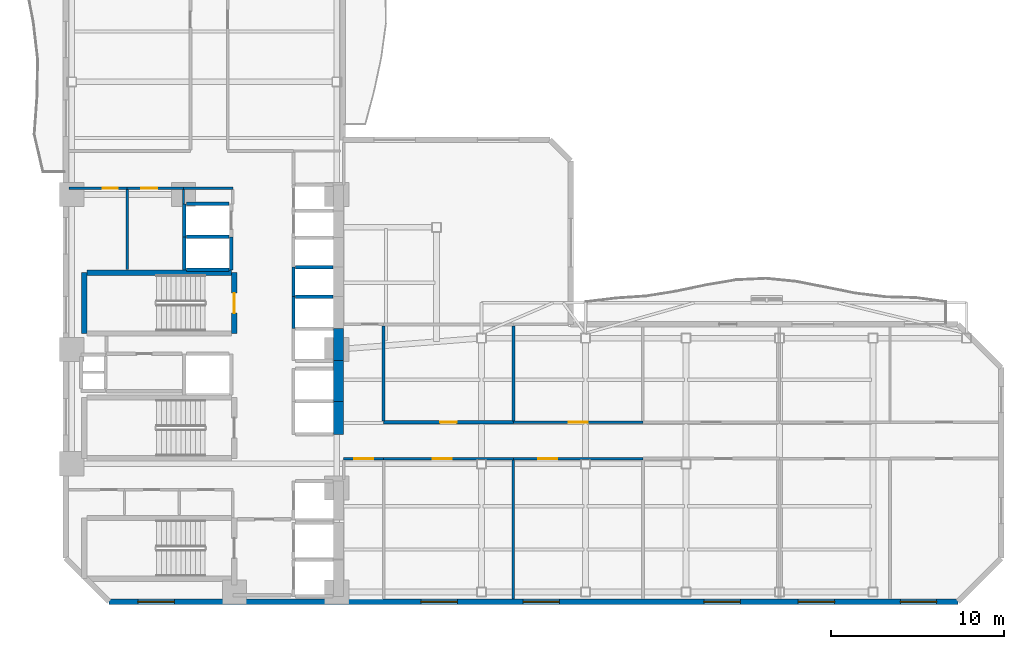
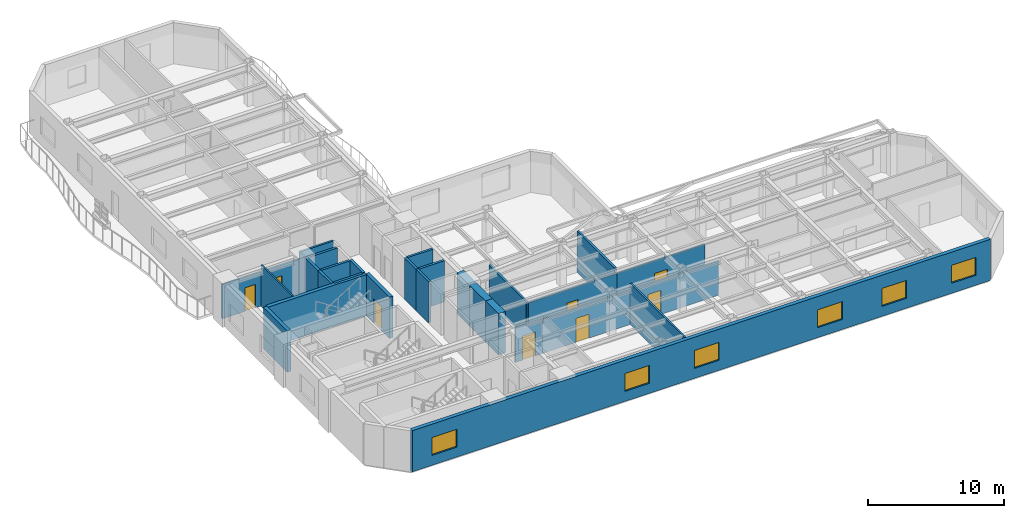
# One storey, part 4 of 10: 30 walls, 8 doors, 6 windows, 14 openings.
"""IFC4 building model written with IfcOpenShell, lengths in metres."""

from ifc_helpers import new_model, si_unit, direction, frame, frame_2d, origin, place, context, subcontext, project, spatial, rectangle, extrude, material, layer, layer_set, type_object, element, fill, save


model = new_model("IFC4")

# Units and contexts
model_context = context("Model", 3, precision=1e-05, world=origin(), true_north=direction((0.0, 1.0)))
body_context = subcontext(model_context, "Body", "Model", "MODEL_VIEW")
ifc_project = project(units=[si_unit("LENGTHUNIT", "METRE"), si_unit("AREAUNIT", "SQUARE_METRE"), si_unit("VOLUMEUNIT", "CUBIC_METRE"), si_unit("PLANEANGLEUNIT", "RADIAN"), si_unit("MASSUNIT", "GRAM", prefix="KILO")], contexts=[model_context])

# Site, building, storey
site_placement = place(None, origin())
site = spatial("IfcSite", under=ifc_project, at=site_placement, CompositionType="ELEMENT")
building_placement = place(site_placement, origin())
building = spatial("IfcBuilding", under=site, at=building_placement, Name="Mawjaban Terraces University", CompositionType="ELEMENT")
storey_placement = place(building_placement, frame((0.0, 0.0, 66.10009765625)))
storey = spatial("IfcBuildingStorey", under=building, at=storey_placement, Name="L15", CompositionType="ELEMENT", Elevation=66.10009765625)

# Wall, opening, door
ifc_material_1 = material(Name="Acoustic masonry blockwork", Category="masonry")
ifc_layer_1 = layer(ifc_material_1, 0.179931640625)
ifc_layer_set_1 = layer_set([ifc_layer_1], Name="Acoustic masonry blockwork")
wall_type_1 = type_object("IfcWallType", Name="AcousticStudioWall_180", PredefinedType="PARTITIONING", material=ifc_layer_set_1)
wall_1_placement = place(storey_placement, frame((47.840087890625, 10.35009765625, 0.0), z_axis=(0.0, 0.0, 1.0), x_axis=(-1.0, 0.0, 0.0)))
wall_1 = element("IfcWall", 1, at=wall_1_placement, inside=storey, type_object=wall_type_1, Name="L15 East Academic Spine Corridor Partition 20", PredefinedType="PARTITIONING", context=body_context, shape_type="SweptSolid", body=[
    extrude(rectangle(XDim=7.489990234375, YDim=0.179931640625, at=frame_2d((3.7451171875, 0.0))), origin(), (0.0, 0.0, 1.0), 3.27685546875),
])
opening_1_placement = place(wall_1_placement, frame((3.27001953125, 0.0, 0.0)))
opening_1 = element("IfcOpeningElement", 2, at=opening_1_placement, cuts=wall_1, Name="Opening ID-095", PredefinedType="OPENING", context=body_context, shape_type="SweptSolid", body=[
    extrude(rectangle(XDim=0.949951171875, YDim=2.10009765625, at=frame_2d((0.47509765625, 1.050048828125))), frame((0.0, 0.099853515625, 0.0), z_axis=(0.0, -1.0, 0.0), x_axis=(1.0, 0.0, 0.0)), (0.0, 0.0, 1.0), 0.199951171875),
])
ifc_material_2 = material(Name="Powder-coated steel frame and solid acoustic timber leaf", Category="steel")
door_type_1 = type_object("IfcDoorType", Name="StudioDoor_950x2100", OperationType="NOTDEFINED", PredefinedType="DOOR", material=ifc_material_2)
door_1_placement = place(opening_1_placement, origin())
door_1 = element("IfcDoor", 3, at=door_1_placement, inside=storey, type_object=door_type_1, Name="L15 Design Studio 3 Door", OperationType="SINGLE_SWING_LEFT", OverallHeight=2.10009765625, OverallWidth=0.949951171875, PredefinedType="DOOR", context=body_context, shape_type="SweptSolid", body=[
    extrude(rectangle(XDim=0.949951171875, YDim=2.10009765625, at=frame_2d((0.47509765625, 1.050048828125))), frame((0.0, 0.02490234375, 0.0), z_axis=(0.0, -1.0, 0.0), x_axis=(1.0, 0.0, 0.0)), (0.0, 0.0, 1.0), 0.050048828125),
])
fill(opening_1, door_1)

# Walls
wall_2_placement = place(storey_placement, frame((40.35009765625, 10.43505859375, 0.0), z_axis=(0.0, 0.0, 1.0), x_axis=(0.0, 1.0, 0.0)))
element("IfcWall", 4, at=wall_2_placement, inside=storey, type_object=wall_type_1, Name="L15 East Academic Corridor Vestibule Partition 45", PredefinedType="PARTITIONING", context=body_context, shape_type="SweptSolid", body=[
    extrude(rectangle(XDim=5.47998046875, YDim=0.179931640625, at=frame_2d((2.739990234375, 0.0))), origin(), (0.0, 0.0, 1.0), 3.27685546875),
])
wall_3_placement = place(storey_placement, frame((47.840087890625, 10.43505859375, 0.0), z_axis=(0.0, 0.0, 1.0), x_axis=(0.0, 1.0, 0.0)))
element("IfcWall", 5, at=wall_3_placement, inside=storey, type_object=wall_type_1, Name="L15 Design Studio 3 Partition 47", PredefinedType="PARTITIONING", context=body_context, shape_type="SweptSolid", body=[
    extrude(rectangle(XDim=5.47998046875, YDim=0.179931640625, at=frame_2d((2.739990234375, 0.0))), origin(), (0.0, 0.0, 1.0), 3.68994140625),
])
ifc_material_3 = material(Name="Concrete C70/85", Category="concrete")
ifc_layer_2 = layer(ifc_material_3, 0.60009765625)
ifc_layer_set_2 = layer_set([ifc_layer_2], Name="Concrete C70/85")
wall_type_2 = type_object("IfcWallType", Name="CoreShearWall_600", PredefinedType="SHEAR", material=ifc_layer_set_2)
wall_4_placement = place(storey_placement, frame((37.75, 9.64990234375, 0.0), z_axis=(0.0, 0.0, 1.0), x_axis=(0.0, 1.0, 0.0)))
element("IfcWall", 6, at=wall_4_placement, inside=storey, type_object=wall_type_2, Name="L15 Lift PL-H1 Hoistway Wall East", PredefinedType="SHEAR", context=body_context, shape_type="SweptSolid", body=[
    extrude(rectangle(XDim=1.900146484375, YDim=0.60009765625, at=frame_2d((0.9501953125, 0.0))), origin(), (0.0, 0.0, 1.0), 3.68994140625),
])
wall_5_placement = place(storey_placement, frame((37.75, 11.550048828125, 0.0), z_axis=(0.0, 0.0, 1.0), x_axis=(0.0, 1.0, 0.0)))
element("IfcWall", 7, at=wall_5_placement, inside=storey, type_object=wall_type_2, Name="L15 Lift PL-H2 Hoistway Wall East", PredefinedType="SHEAR", context=body_context, shape_type="SweptSolid", body=[
    extrude(rectangle(XDim=2.349853515625, YDim=0.60009765625, at=frame_2d((1.1748046875, 0.0))), origin(), (0.0, 0.0, 1.0), 3.68994140625),
])
wall_6_placement = place(storey_placement, frame((37.75, 13.89990234375, 0.0), z_axis=(0.0, 0.0, 1.0), x_axis=(0.0, 1.0, 0.0)))
element("IfcWall", 8, at=wall_6_placement, inside=storey, type_object=wall_type_2, Name="L15 Lift OL-1 Hoistway Wall East", PredefinedType="SHEAR", context=body_context, shape_type="SweptSolid", body=[
    extrude(rectangle(XDim=1.85009765625, YDim=0.60009765625, at=frame_2d((0.925048828125, 0.0))), origin(), (0.0, 0.0, 1.0), 3.68994140625),
])

# Wall, opening, door
ifc_material_4 = material(Name="Fire-rated gypsum board on steel stud", Category="steel")
ifc_layer_3 = layer(ifc_material_4, 0.159912109375)
ifc_layer_set_3 = layer_set([ifc_layer_3], Name="Fire-rated gypsum board on steel stud")
wall_type_3 = type_object("IfcWallType", Name="CorridorPartition_160", PredefinedType="PARTITIONING", material=ifc_layer_set_3)
wall_7_placement = place(storey_placement, frame((25.550048828125, 23.85009765625, 0.0), z_axis=(0.0, 0.0, 1.0), x_axis=(-1.0, 0.0, 0.0)))
wall_7 = element("IfcWall", 9, at=wall_7_placement, inside=storey, type_object=wall_type_3, Name="L15 Ablution Room Partition 5", PredefinedType="PARTITIONING", context=body_context, shape_type="SweptSolid", body=[
    extrude(rectangle(XDim=3.35009765625, YDim=0.159912109375, at=frame_2d((1.675048828125, 0.0))), origin(), (0.0, 0.0, 1.0), 3.054931640625),
])
opening_2_placement = place(wall_7_placement, frame((0.534912109375, 0.0, 0.0)))
opening_2 = element("IfcOpeningElement", 10, at=opening_2_placement, cuts=wall_7, Name="Opening ID-088", PredefinedType="OPENING", context=body_context, shape_type="SweptSolid", body=[
    extrude(rectangle(XDim=0.8798828125, YDim=2.10009765625, at=frame_2d((0.43994140625, 1.050048828125))), frame((0.0, 0.08984375, 0.0), z_axis=(0.0, -1.0, 0.0), x_axis=(1.0, 0.0, 0.0)), (0.0, 0.0, 1.0), 0.179931640625),
])
door_type_2 = type_object("IfcDoorType", Name="ToiletDoor_880x2100", OperationType="NOTDEFINED", PredefinedType="DOOR", material=ifc_material_2)
door_2_placement = place(opening_2_placement, origin())
door_2 = element("IfcDoor", 11, at=door_2_placement, inside=storey, type_object=door_type_2, Name="L15 Ablution Room Door", OperationType="SINGLE_SWING_LEFT", OverallHeight=2.10009765625, OverallWidth=0.8798828125, PredefinedType="DOOR", context=body_context, shape_type="SweptSolid", body=[
    extrude(rectangle(XDim=0.8798828125, YDim=2.10009765625, at=frame_2d((0.43994140625, 1.050048828125))), frame((0.0, 0.02490234375, 0.0), z_axis=(0.0, -1.0, 0.0), x_axis=(1.0, 0.0, 0.0)), (0.0, 0.0, 1.0), 0.050048828125),
])
fill(opening_2, door_2)

wall_8_placement = place(storey_placement, frame((28.800048828125, 23.85009765625, 0.0), z_axis=(0.0, 0.0, 1.0), x_axis=(-1.0, 0.0, 0.0)))
wall_8 = element("IfcWall", 12, at=wall_8_placement, inside=storey, type_object=wall_type_3, Name="L15 Cleaner Store Partition 7", PredefinedType="PARTITIONING", context=body_context, shape_type="SweptSolid", body=[
    extrude(rectangle(XDim=3.25, YDim=0.159912109375, at=frame_2d((1.625, 0.0))), origin(), (0.0, 0.0, 1.0), 3.054931640625),
])
opening_3_placement = place(wall_8_placement, frame((1.52490234375, 0.0, 0.0)))
opening_3 = element("IfcOpeningElement", 13, at=opening_3_placement, cuts=wall_8, Name="Opening ID-090", PredefinedType="OPENING", context=body_context, shape_type="SweptSolid", body=[
    extrude(rectangle(XDim=0.89990234375, YDim=2.10009765625, at=frame_2d((0.449951171875, 1.050048828125))), frame((0.0, 0.08984375, 0.0), z_axis=(0.0, -1.0, 0.0), x_axis=(1.0, 0.0, 0.0)), (0.0, 0.0, 1.0), 0.179931640625),
])
door_type_3 = type_object("IfcDoorType", Name="OfficeDoor_900x2100", OperationType="NOTDEFINED", PredefinedType="DOOR", material=ifc_material_2)
door_3_placement = place(opening_3_placement, origin())
door_3 = element("IfcDoor", 14, at=door_3_placement, inside=storey, type_object=door_type_3, Name="L15 Cleaner Store Door", OperationType="SINGLE_SWING_RIGHT", OverallHeight=2.10009765625, OverallWidth=0.89990234375, PredefinedType="DOOR", context=body_context, shape_type="SweptSolid", body=[
    extrude(rectangle(XDim=0.89990234375, YDim=2.10009765625, at=frame_2d((0.449951171875, 1.050048828125))), frame((0.0, 0.02490234375, 0.0), z_axis=(0.0, -1.0, 0.0), x_axis=(1.0, 0.0, 0.0)), (0.0, 0.0, 1.0), 0.050048828125),
])
fill(opening_3, door_3)

# Wall
wall_9_placement = place(storey_placement, frame((28.800048828125, 23.85009765625, 0.0), z_axis=(0.0, 0.0, 1.0), x_axis=(1.0, 0.0, 0.0)))
element("IfcWall", 15, at=wall_9_placement, inside=storey, type_object=wall_type_3, Name="L15 North Core Cross-Corridor Partition 8", PredefinedType="PARTITIONING", context=body_context, shape_type="SweptSolid", body=[
    extrude(rectangle(XDim=2.849853515625, YDim=0.159912109375, at=frame_2d((1.4248046875, 0.0))), origin(), (0.0, 0.0, 1.0), 3.68994140625),
])

# Wall, openings, windows
ifc_material_5 = material(Name="Insulated terracotta rainscreen on concrete backup C40/50", Category="masonry")
ifc_layer_4 = layer(ifc_material_5, 0.320068359375)
ifc_layer_set_4 = layer_set([ifc_layer_4], Name="Insulated terracotta rainscreen on concrete backup C40/50")
wall_type_4 = type_object("IfcWallType", Name="ExtTerracottaWall_320", PredefinedType="SOLIDWALL", material=ifc_layer_set_4)
wall_10_placement = place(storey_placement, frame((24.5, 0.0, 0.0), z_axis=(0.0, 0.0, 1.0), x_axis=(1.0, 0.0, 0.0)))
wall_10 = element("IfcWall", 16, at=wall_10_placement, inside=storey, type_object=wall_type_4, Name="L15 Exterior Terracotta Wall 1", PredefinedType="SOLIDWALL", context=body_context, shape_type="SweptSolid", body=[
    extrude(rectangle(XDim=49.0, YDim=0.320068359375, at=frame_2d((24.5, 0.0))), origin(), (0.0, 0.0, 1.0), 3.68994140625),
])
opening_4_placement = place(wall_10_placement, frame((1.672119140625, 0.0, 0.89990234375)))
opening_4 = element("IfcOpeningElement", 17, at=opening_4_placement, cuts=wall_10, Name="Opening W-04", PredefinedType="OPENING", context=body_context, shape_type="SweptSolid", body=[
    extrude(rectangle(XDim=2.10009765625, YDim=1.60009765625, at=frame_2d((1.050048828125, 0.800048828125))), frame((0.0, 0.169921875, 0.0), z_axis=(0.0, -1.0, 0.0), x_axis=(1.0, 0.0, 0.0)), (0.0, 0.0, 1.0), 0.340087890625),
])
opening_5_placement = place(wall_10_placement, frame((18.006103515625, 0.0, 0.89990234375)))
opening_5 = element("IfcOpeningElement", 18, at=opening_5_placement, cuts=wall_10, Name="Opening W-04", PredefinedType="OPENING", context=body_context, shape_type="SweptSolid", body=[
    extrude(rectangle(XDim=2.10009765625, YDim=1.60009765625, at=frame_2d((1.050048828125, 0.800048828125))), frame((0.0, 0.169921875, 0.0), z_axis=(0.0, -1.0, 0.0), x_axis=(1.0, 0.0, 0.0)), (0.0, 0.0, 1.0), 0.340087890625),
])
opening_6_placement = place(wall_10_placement, frame((23.89990234375, 0.0, 0.89990234375)))
opening_6 = element("IfcOpeningElement", 19, at=opening_6_placement, cuts=wall_10, Name="Opening W-04", PredefinedType="OPENING", context=body_context, shape_type="SweptSolid", body=[
    extrude(rectangle(XDim=2.10009765625, YDim=1.60009765625, at=frame_2d((1.050048828125, 0.800048828125))), frame((0.0, 0.169921875, 0.0), z_axis=(0.0, -1.0, 0.0), x_axis=(1.0, 0.0, 0.0)), (0.0, 0.0, 1.0), 0.340087890625),
])
opening_7_placement = place(wall_10_placement, frame((34.339111328125, 0.0, 0.89990234375)))
opening_7 = element("IfcOpeningElement", 20, at=opening_7_placement, cuts=wall_10, Name="Opening W-04", PredefinedType="OPENING", context=body_context, shape_type="SweptSolid", body=[
    extrude(rectangle(XDim=2.10009765625, YDim=1.60009765625, at=frame_2d((1.050048828125, 0.800048828125))), frame((0.0, 0.169921875, 0.0), z_axis=(0.0, -1.0, 0.0), x_axis=(1.0, 0.0, 0.0)), (0.0, 0.0, 1.0), 0.340087890625),
])
opening_8_placement = place(wall_10_placement, frame((39.782958984375, 0.0, 0.89990234375)))
opening_8 = element("IfcOpeningElement", 21, at=opening_8_placement, cuts=wall_10, Name="Opening W-04", PredefinedType="OPENING", context=body_context, shape_type="SweptSolid", body=[
    extrude(rectangle(XDim=2.10009765625, YDim=1.60009765625, at=frame_2d((1.050048828125, 0.800048828125))), frame((0.0, 0.169921875, 0.0), z_axis=(0.0, -1.0, 0.0), x_axis=(1.0, 0.0, 0.0)), (0.0, 0.0, 1.0), 0.340087890625),
])
opening_9_placement = place(wall_10_placement, frame((45.677978515625, 0.0, 0.89990234375)))
opening_9 = element("IfcOpeningElement", 22, at=opening_9_placement, cuts=wall_10, Name="Opening W-04", PredefinedType="OPENING", context=body_context, shape_type="SweptSolid", body=[
    extrude(rectangle(XDim=2.10009765625, YDim=1.60009765625, at=frame_2d((1.050048828125, 0.800048828125))), frame((0.0, 0.169921875, 0.0), z_axis=(0.0, -1.0, 0.0), x_axis=(1.0, 0.0, 0.0)), (0.0, 0.0, 1.0), 0.340087890625),
])
ifc_material_6 = material(Name="Low-E solar-control double glazing in thermally broken aluminium frame", Category="aluminium")
window_type = type_object("IfcWindowType", Name="Win_2100x1600", PartitioningType="SINGLE_PANEL", PredefinedType="WINDOW", material=ifc_material_6)
window_1_placement = place(opening_4_placement, origin())
window_1 = element("IfcWindow", 23, at=window_1_placement, inside=storey, type_object=window_type, Name="L15 Facade Window 1.1", OverallHeight=1.60009765625, OverallWidth=2.10009765625, PartitioningType="SINGLE_PANEL", PredefinedType="WINDOW", context=body_context, shape_type="SweptSolid", body=[
    extrude(rectangle(XDim=2.10009765625, YDim=1.60009765625, at=frame_2d((1.050048828125, 0.800048828125))), frame((0.0, 0.030029296875, 0.0), z_axis=(0.0, -1.0, 0.0), x_axis=(1.0, 0.0, 0.0)), (0.0, 0.0, 1.0), 0.06005859375),
])
fill(opening_4, window_1)
window_2_placement = place(opening_5_placement, origin())
window_2 = element("IfcWindow", 24, at=window_2_placement, inside=storey, type_object=window_type, Name="L15 Facade Window 1.4", OverallHeight=1.60009765625, OverallWidth=2.10009765625, PartitioningType="SINGLE_PANEL", PredefinedType="WINDOW", context=body_context, shape_type="SweptSolid", body=[
    extrude(rectangle(XDim=2.10009765625, YDim=1.60009765625, at=frame_2d((1.050048828125, 0.800048828125))), frame((0.0, 0.030029296875, 0.0), z_axis=(0.0, -1.0, 0.0), x_axis=(1.0, 0.0, 0.0)), (0.0, 0.0, 1.0), 0.06005859375),
])
fill(opening_5, window_2)
window_3_placement = place(opening_6_placement, origin())
window_3 = element("IfcWindow", 25, at=window_3_placement, inside=storey, type_object=window_type, Name="L15 Facade Window 1.5", OverallHeight=1.60009765625, OverallWidth=2.10009765625, PartitioningType="SINGLE_PANEL", PredefinedType="WINDOW", context=body_context, shape_type="SweptSolid", body=[
    extrude(rectangle(XDim=2.10009765625, YDim=1.60009765625, at=frame_2d((1.050048828125, 0.800048828125))), frame((0.0, 0.030029296875, 0.0), z_axis=(0.0, -1.0, 0.0), x_axis=(1.0, 0.0, 0.0)), (0.0, 0.0, 1.0), 0.06005859375),
])
fill(opening_6, window_3)
window_4_placement = place(opening_7_placement, origin())
window_4 = element("IfcWindow", 26, at=window_4_placement, inside=storey, type_object=window_type, Name="L15 Facade Window 1.7", OverallHeight=1.60009765625, OverallWidth=2.10009765625, PartitioningType="SINGLE_PANEL", PredefinedType="WINDOW", context=body_context, shape_type="SweptSolid", body=[
    extrude(rectangle(XDim=2.10009765625, YDim=1.60009765625, at=frame_2d((1.050048828125, 0.800048828125))), frame((0.0, 0.030029296875, 0.0), z_axis=(0.0, -1.0, 0.0), x_axis=(1.0, 0.0, 0.0)), (0.0, 0.0, 1.0), 0.06005859375),
])
fill(opening_7, window_4)
window_5_placement = place(opening_8_placement, origin())
window_5 = element("IfcWindow", 27, at=window_5_placement, inside=storey, type_object=window_type, Name="L15 Facade Window 1.8", OverallHeight=1.60009765625, OverallWidth=2.10009765625, PartitioningType="SINGLE_PANEL", PredefinedType="WINDOW", context=body_context, shape_type="SweptSolid", body=[
    extrude(rectangle(XDim=2.10009765625, YDim=1.60009765625, at=frame_2d((1.050048828125, 0.800048828125))), frame((0.0, 0.030029296875, 0.0), z_axis=(0.0, -1.0, 0.0), x_axis=(1.0, 0.0, 0.0)), (0.0, 0.0, 1.0), 0.06005859375),
])
fill(opening_8, window_5)
window_6_placement = place(opening_9_placement, origin())
window_6 = element("IfcWindow", 28, at=window_6_placement, inside=storey, type_object=window_type, Name="L15 Facade Window 1.9", OverallHeight=1.60009765625, OverallWidth=2.10009765625, PartitioningType="SINGLE_PANEL", PredefinedType="WINDOW", context=body_context, shape_type="SweptSolid", body=[
    extrude(rectangle(XDim=2.10009765625, YDim=1.60009765625, at=frame_2d((1.050048828125, 0.800048828125))), frame((0.0, 0.030029296875, 0.0), z_axis=(0.0, -1.0, 0.0), x_axis=(1.0, 0.0, 0.0)), (0.0, 0.0, 1.0), 0.06005859375),
])
fill(opening_9, window_6)

# Walls
ifc_material_7 = material(Name="Concrete C40/50", Category="concrete")
ifc_layer_5 = layer(ifc_material_7, 0.199951171875)
ifc_layer_set_5 = layer_set([ifc_layer_5], Name="Concrete C40/50")
wall_type_5 = type_object("IfcWallType", Name="FireLobbyWall_200", PredefinedType="SOLIDWALL", material=ifc_layer_set_5)
wall_11_placement = place(storey_placement, frame((35.14990234375, 17.60009765625, 0.0), z_axis=(0.0, 0.0, 1.0), x_axis=(0.0, -1.0, 0.0)))
element("IfcWall", 29, at=wall_11_placement, inside=storey, type_object=wall_type_5, Name="L15 Lift OL-2 Hoistway Wall West", PredefinedType="SOLIDWALL", context=body_context, shape_type="SweptSolid", body=[
    extrude(rectangle(XDim=1.85009765625, YDim=0.199951171875, at=frame_2d((0.925048828125, 0.0))), origin(), (0.0, 0.0, 1.0), 3.68994140625),
])
wall_12_placement = place(storey_placement, frame((37.419921875, 17.60009765625, 0.0), z_axis=(0.0, 0.0, 1.0), x_axis=(-1.0, 0.0, 0.0)))
element("IfcWall", 30, at=wall_12_placement, inside=storey, type_object=wall_type_5, Name="L15 Lift OL-2 Hoistway Wall North", PredefinedType="SOLIDWALL", context=body_context, shape_type="SweptSolid", body=[
    extrude(rectangle(XDim=2.139892578125, YDim=0.199951171875, at=frame_2d((1.06982421875, 0.0))), origin(), (0.0, 0.0, 1.0), 3.68994140625),
])
wall_13_placement = place(storey_placement, frame((35.14990234375, 19.300048828125, 0.0), z_axis=(0.0, 0.0, 1.0), x_axis=(0.0, -1.0, 0.0)))
element("IfcWall", 31, at=wall_13_placement, inside=storey, type_object=wall_type_5, Name="L15 Lift PL-M1 Hoistway Wall West", PredefinedType="SOLIDWALL", context=body_context, shape_type="SweptSolid", body=[
    extrude(rectangle(XDim=1.699951171875, YDim=0.199951171875, at=frame_2d((0.85009765625, 0.0))), origin(), (0.0, 0.0, 1.0), 3.68994140625),
])
wall_14_placement = place(storey_placement, frame((37.419921875, 19.300048828125, 0.0), z_axis=(0.0, 0.0, 1.0), x_axis=(-1.0, 0.0, 0.0)))
element("IfcWall", 32, at=wall_14_placement, inside=storey, type_object=wall_type_5, Name="L15 Lift PL-M1 Hoistway Wall North", PredefinedType="SOLIDWALL", context=body_context, shape_type="SweptSolid", body=[
    extrude(rectangle(XDim=2.139892578125, YDim=0.199951171875, at=frame_2d((1.06982421875, 0.0))), origin(), (0.0, 0.0, 1.0), 3.68994140625),
])
for number, where, z_axis, x_axis, name in (
    (33, (28.85009765625, 21.050048828125, 0.0), (0.0, 0.0, 1.0), (0.0, -1.0, 0.0), "L15 Lift PL-M3 Hoistway Wall West"),
    (34, (31.550048828125, 19.14990234375, 0.0), (0.0, 0.0, 1.0), (0.0, 1.0, 0.0), "L15 Lift PL-M3 Hoistway Wall East"),
):
    element("IfcWall", number, at=place(storey_placement, frame(where, z_axis=z_axis, x_axis=x_axis)), inside=storey, type_object=wall_type_5, Name=name, PredefinedType="SOLIDWALL", context=body_context, shape_type="SweptSolid", body=[
        extrude(rectangle(XDim=1.900146484375, YDim=0.199951171875, at=frame_2d((0.9501953125, 0.0))), origin(), (0.0, 0.0, 1.0), 3.68994140625),
    ])
for number, where, z_axis, x_axis, name in (
    (35, (28.97998046875, 19.14990234375, 0.0), (0.0, 0.0, 1.0), (1.0, 0.0, 0.0), "L15 Lift PL-M3 Hoistway Wall South"),
    (36, (31.419921875, 21.050048828125, 0.0), (0.0, 0.0, 1.0), (-1.0, 0.0, 0.0), "L15 Lift PL-M3 Hoistway Wall North"),
):
    element("IfcWall", number, at=place(storey_placement, frame(where, z_axis=z_axis, x_axis=x_axis)), inside=storey, type_object=wall_type_5, Name=name, PredefinedType="SOLIDWALL", context=body_context, shape_type="SweptSolid", body=[
        extrude(rectangle(XDim=2.43994140625, YDim=0.199951171875, at=frame_2d((1.219970703125, 0.0))), origin(), (0.0, 0.0, 1.0), 3.68994140625),
    ])
wall_15_placement = place(storey_placement, frame((28.85009765625, 22.949951171875, 0.0), z_axis=(0.0, 0.0, 1.0), x_axis=(0.0, -1.0, 0.0)))
element("IfcWall", 37, at=wall_15_placement, inside=storey, type_object=wall_type_5, Name="L15 Lift PL-L3 Hoistway Wall West", PredefinedType="SOLIDWALL", context=body_context, shape_type="SweptSolid", body=[
    extrude(rectangle(XDim=1.89990234375, YDim=0.199951171875, at=frame_2d((0.949951171875, 0.0))), origin(), (0.0, 0.0, 1.0), 3.68994140625),
])
wall_16_placement = place(storey_placement, frame((31.429931640625, 22.949951171875, 0.0), z_axis=(0.0, 0.0, 1.0), x_axis=(-1.0, 0.0, 0.0)))
element("IfcWall", 38, at=wall_16_placement, inside=storey, type_object=wall_type_5, Name="L15 Lift PL-L3 Hoistway Wall North", PredefinedType="SOLIDWALL", context=body_context, shape_type="SweptSolid", body=[
    extrude(rectangle(XDim=2.4599609375, YDim=0.199951171875, at=frame_2d((1.22998046875, 0.0))), origin(), (0.0, 0.0, 1.0), 3.68994140625),
])

# Wall, opening, door
ifc_material_8 = material(Name="Moisture-resistant gypsum board on steel stud", Category="steel")
ifc_layer_6 = layer(ifc_material_8, 0.14501953125)
ifc_layer_set_6 = layer_set([ifc_layer_6], Name="Moisture-resistant gypsum board on steel stud")
wall_type_6 = type_object("IfcWallType", Name="LabPartition_145", PredefinedType="PARTITIONING", material=ifc_layer_set_6)
wall_17_placement = place(storey_placement, frame((38.050048828125, 8.25, 0.0), z_axis=(0.0, 0.0, 1.0), x_axis=(1.0, 0.0, 0.0)))
wall_17 = element("IfcWall", 39, at=wall_17_placement, inside=storey, type_object=wall_type_6, Name="L15 East Academic Corridor Vestibule Partition 16", PredefinedType="PARTITIONING", context=body_context, shape_type="SweptSolid", body=[
    extrude(rectangle(XDim=2.300048828125, YDim=0.14501953125, at=frame_2d((1.14990234375, 0.0))), origin(), (0.0, 0.0, 1.0), 3.054931640625),
])
opening_10_placement = place(wall_17_placement, frame((0.60009765625, 0.0, 0.0)))
opening_10 = element("IfcOpeningElement", 40, at=opening_10_placement, cuts=wall_17, Name="Opening ID-110", PredefinedType="OPENING", context=body_context, shape_type="SweptSolid", body=[
    extrude(rectangle(XDim=1.10009765625, YDim=2.14990234375, at=frame_2d((0.550048828125, 1.074951171875))), frame((0.0, 0.08251953125, 0.0), z_axis=(0.0, -1.0, 0.0), x_axis=(1.0, 0.0, 0.0)), (0.0, 0.0, 1.0), 0.1650390625),
])
door_type_4 = type_object("IfcDoorType", Name="LabDoor_1100x2150", OperationType="NOTDEFINED", PredefinedType="DOOR", material=ifc_material_2)
door_4_placement = place(opening_10_placement, origin())
door_4 = element("IfcDoor", 41, at=door_4_placement, inside=storey, type_object=door_type_4, Name="L15 Computational Laboratory 1 Door", OperationType="SINGLE_SWING_LEFT", OverallHeight=2.14990234375, OverallWidth=1.10009765625, PredefinedType="DOOR", context=body_context, shape_type="SweptSolid", body=[
    extrude(rectangle(XDim=1.10009765625, YDim=2.14990234375, at=frame_2d((0.550048828125, 1.074951171875))), frame((0.0, 0.02490234375, 0.0), z_axis=(0.0, -1.0, 0.0), x_axis=(1.0, 0.0, 0.0)), (0.0, 0.0, 1.0), 0.050048828125),
])
fill(opening_10, door_4)

wall_18_placement = place(storey_placement, frame((40.35009765625, 8.25, 0.0), z_axis=(0.0, 0.0, 1.0), x_axis=(1.0, 0.0, 0.0)))
wall_18 = element("IfcWall", 42, at=wall_18_placement, inside=storey, type_object=wall_type_6, Name="L15 East Academic Spine Corridor Partition 17", PredefinedType="PARTITIONING", context=body_context, shape_type="SweptSolid", body=[
    extrude(rectangle(XDim=7.489990234375, YDim=0.14501953125, at=frame_2d((3.7451171875, 0.0))), origin(), (0.0, 0.0, 1.0), 3.054931640625),
])
opening_11_placement = place(wall_18_placement, frame((2.844970703125, 0.0, 0.0)))
opening_11 = element("IfcOpeningElement", 43, at=opening_11_placement, cuts=wall_18, Name="Opening ID-110", PredefinedType="OPENING", context=body_context, shape_type="SweptSolid", body=[
    extrude(rectangle(XDim=1.10009765625, YDim=2.14990234375, at=frame_2d((0.550048828125, 1.074951171875))), frame((0.0, 0.08251953125, 0.0), z_axis=(0.0, -1.0, 0.0), x_axis=(1.0, 0.0, 0.0)), (0.0, 0.0, 1.0), 0.1650390625),
])
door_5_placement = place(opening_11_placement, origin())
door_5 = element("IfcDoor", 44, at=door_5_placement, inside=storey, type_object=door_type_4, Name="L15 Teaching Laboratory 2 Door", OperationType="SINGLE_SWING_RIGHT", OverallHeight=2.14990234375, OverallWidth=1.10009765625, PredefinedType="DOOR", context=body_context, shape_type="SweptSolid", body=[
    extrude(rectangle(XDim=1.10009765625, YDim=2.14990234375, at=frame_2d((0.550048828125, 1.074951171875))), frame((0.0, 0.02490234375, 0.0), z_axis=(0.0, -1.0, 0.0), x_axis=(1.0, 0.0, 0.0)), (0.0, 0.0, 1.0), 0.050048828125),
])
fill(opening_11, door_5)

wall_19_placement = place(storey_placement, frame((47.840087890625, 8.25, 0.0), z_axis=(0.0, 0.0, 1.0), x_axis=(1.0, 0.0, 0.0)))
wall_19 = element("IfcWall", 45, at=wall_19_placement, inside=storey, type_object=wall_type_6, Name="L15 East Academic Spine Corridor Partition 19", PredefinedType="PARTITIONING", context=body_context, shape_type="SweptSolid", body=[
    extrude(rectangle(XDim=7.47998046875, YDim=0.14501953125, at=frame_2d((3.739990234375, 0.0))), origin(), (0.0, 0.0, 1.0), 3.054931640625),
])
opening_12_placement = place(wall_19_placement, frame((1.43994140625, 0.0, 0.0)))
opening_12 = element("IfcOpeningElement", 46, at=opening_12_placement, cuts=wall_19, Name="Opening ID-110", PredefinedType="OPENING", context=body_context, shape_type="SweptSolid", body=[
    extrude(rectangle(XDim=1.10009765625, YDim=2.14990234375, at=frame_2d((0.550048828125, 1.074951171875))), frame((0.0, 0.08251953125, 0.0), z_axis=(0.0, -1.0, 0.0), x_axis=(1.0, 0.0, 0.0)), (0.0, 0.0, 1.0), 0.1650390625),
])
door_6_placement = place(opening_12_placement, origin())
door_6 = element("IfcDoor", 47, at=door_6_placement, inside=storey, type_object=door_type_4, Name="L15 Computational Laboratory 4 Door", OperationType="SINGLE_SWING_RIGHT", OverallHeight=2.14990234375, OverallWidth=1.10009765625, PredefinedType="DOOR", context=body_context, shape_type="SweptSolid", body=[
    extrude(rectangle(XDim=1.10009765625, YDim=2.14990234375, at=frame_2d((0.550048828125, 1.074951171875))), frame((0.0, 0.02490234375, 0.0), z_axis=(0.0, -1.0, 0.0), x_axis=(1.0, 0.0, 0.0)), (0.0, 0.0, 1.0), 0.050048828125),
])
fill(opening_12, door_6)

wall_20_placement = place(storey_placement, frame((55.320068359375, 10.35009765625, 0.0), z_axis=(0.0, 0.0, 1.0), x_axis=(-1.0, 0.0, 0.0)))
wall_20 = element("IfcWall", 48, at=wall_20_placement, inside=storey, type_object=wall_type_6, Name="L15 East Academic Spine Corridor Partition 24", PredefinedType="PARTITIONING", context=body_context, shape_type="SweptSolid", body=[
    extrude(rectangle(XDim=7.47998046875, YDim=0.14501953125, at=frame_2d((3.739990234375, 0.0))), origin(), (0.0, 0.0, 1.0), 3.27685546875),
])
opening_13_placement = place(wall_20_placement, frame((3.18994140625, 0.0, 0.0)))
opening_13 = element("IfcOpeningElement", 49, at=opening_13_placement, cuts=wall_20, Name="Opening ID-110", PredefinedType="OPENING", context=body_context, shape_type="SweptSolid", body=[
    extrude(rectangle(XDim=1.10009765625, YDim=2.14990234375, at=frame_2d((0.550048828125, 1.074951171875))), frame((0.0, 0.08251953125, 0.0), z_axis=(0.0, -1.0, 0.0), x_axis=(1.0, 0.0, 0.0)), (0.0, 0.0, 1.0), 0.1650390625),
])
door_7_placement = place(opening_13_placement, origin())
door_7 = element("IfcDoor", 50, at=door_7_placement, inside=storey, type_object=door_type_4, Name="L15 Teaching Laboratory 5 Door", OperationType="SINGLE_SWING_LEFT", OverallHeight=2.14990234375, OverallWidth=1.10009765625, PredefinedType="DOOR", context=body_context, shape_type="SweptSolid", body=[
    extrude(rectangle(XDim=1.10009765625, YDim=2.14990234375, at=frame_2d((0.550048828125, 1.074951171875))), frame((0.0, 0.02490234375, 0.0), z_axis=(0.0, -1.0, 0.0), x_axis=(1.0, 0.0, 0.0)), (0.0, 0.0, 1.0), 0.050048828125),
])
fill(opening_13, door_7)

# Walls
wall_21_placement = place(storey_placement, frame((47.840087890625, 0.155029296875, 0.0), z_axis=(0.0, 0.0, 1.0), x_axis=(0.0, 1.0, 0.0)))
element("IfcWall", 51, at=wall_21_placement, inside=storey, type_object=wall_type_6, Name="L15 Teaching Laboratory 2 Partition 46", PredefinedType="PARTITIONING", context=body_context, shape_type="SweptSolid", body=[
    extrude(rectangle(XDim=8.02685546875, YDim=0.14501953125, at=frame_2d((4.013427734375, 0.0))), origin(), (0.0, 0.0, 1.0), 3.68994140625),
])
ifc_material_9 = material(Name="Gypsum plasterboard on steel stud", Category="steel")
ifc_layer_7 = layer(ifc_material_9, 0.125)
ifc_layer_set_7 = layer_set([ifc_layer_7], Name="Gypsum plasterboard on steel stud")
wall_type_7 = type_object("IfcWallType", Name="OfficePartition_125", PredefinedType="PARTITIONING", material=ifc_layer_set_7)
wall_22_placement = place(storey_placement, frame((28.800048828125, 22.949951171875, 0.0), z_axis=(0.0, 0.0, 1.0), x_axis=(0.0, 1.0, 0.0)))
element("IfcWall", 52, at=wall_22_placement, inside=storey, type_object=wall_type_7, Name="L15 Cleaner Store Partition 34", PredefinedType="PARTITIONING", context=body_context, shape_type="SweptSolid", body=[
    extrude(rectangle(XDim=0.824951171875, YDim=0.125, at=frame_2d((0.41259765625, 0.0))), origin(), (0.0, 0.0, 1.0), 3.68994140625),
])
ifc_material_10 = material(Name="Concrete C60/75", Category="concrete")
ifc_layer_8 = layer(ifc_material_10, 0.300048828125)
ifc_layer_set_8 = layer_set([ifc_layer_8], Name="Concrete C60/75")
wall_type_8 = type_object("IfcWallType", Name="StairShaftWall_300", PredefinedType="SHEAR", material=ifc_layer_set_8)
wall_23_placement = place(storey_placement, frame((31.580078125, 18.97998046875, 0.0), z_axis=(0.0, 0.0, 1.0), x_axis=(-1.0, 0.0, 0.0)))
element("IfcWall", 53, at=wall_23_placement, inside=storey, type_object=wall_type_8, Name="L15 ST-2 Stair Shaft Wall 1", PredefinedType="SHEAR", context=body_context, shape_type="SweptSolid", body=[
    extrude(rectangle(XDim=8.360107421875, YDim=0.300048828125, at=frame_2d((4.18017578125, 0.0))), origin(), (0.0, 0.0, 1.0), 3.68994140625),
])
wall_24_placement = place(storey_placement, frame((23.070068359375, 18.97998046875, 0.0), z_axis=(0.0, 0.0, 1.0), x_axis=(0.0, -1.0, 0.0)))
element("IfcWall", 54, at=wall_24_placement, inside=storey, type_object=wall_type_8, Name="L15 ST-2 Stair Shaft Wall 2", PredefinedType="SHEAR", context=body_context, shape_type="SweptSolid", body=[
    extrude(rectangle(XDim=3.510009765625, YDim=0.300048828125, at=frame_2d((1.7548828125, 0.0))), origin(), (0.0, 0.0, 1.0), 3.68994140625),
])

# Wall, opening, door
wall_25_placement = place(storey_placement, frame((31.72998046875, 15.469970703125, 0.0), z_axis=(0.0, 0.0, 1.0), x_axis=(0.0, 1.0, 0.0)))
wall_25 = element("IfcWall", 55, at=wall_25_placement, inside=storey, type_object=wall_type_8, Name="L15 ST-2 Stair Shaft Wall 4", PredefinedType="SHEAR", context=body_context, shape_type="SweptSolid", body=[
    extrude(rectangle(XDim=3.510009765625, YDim=0.300048828125, at=frame_2d((1.7548828125, 0.0))), origin(), (0.0, 0.0, 1.0), 3.68994140625),
])
opening_14_placement = place(wall_25_placement, frame((1.179931640625, 0.0, 0.0)))
opening_14 = element("IfcOpeningElement", 56, at=opening_14_placement, cuts=wall_25, Name="Opening FD-115", PredefinedType="OPENING", context=body_context, shape_type="SweptSolid", body=[
    extrude(rectangle(XDim=1.14990234375, YDim=2.14990234375, at=frame_2d((0.574951171875, 1.074951171875))), frame((0.0, 0.159912109375, 0.0), z_axis=(0.0, -1.0, 0.0), x_axis=(1.0, 0.0, 0.0)), (0.0, 0.0, 1.0), 0.320068359375),
])
ifc_material_11 = material(Name="Powder-coated steel frame and fire-rated steel-faced leaf", Category="steel")
door_type_5 = type_object("IfcDoorType", Name="FireStairDoor_1150x2150", OperationType="NOTDEFINED", PredefinedType="DOOR", material=ifc_material_11)
door_8_placement = place(opening_14_placement, origin())
door_8 = element("IfcDoor", 57, at=door_8_placement, inside=storey, type_object=door_type_5, Name="L15 ST-2 Pressurised Stair Fire Door", OperationType="SINGLE_SWING_RIGHT", OverallHeight=2.14990234375, OverallWidth=1.14990234375, PredefinedType="DOOR", context=body_context, shape_type="SweptSolid", body=[
    extrude(rectangle(XDim=1.14990234375, YDim=2.14990234375, at=frame_2d((0.574951171875, 1.074951171875))), frame((0.0, 0.02490234375, 0.0), z_axis=(0.0, -1.0, 0.0), x_axis=(1.0, 0.0, 0.0)), (0.0, 0.0, 1.0), 0.050048828125),
])
fill(opening_14, door_8)

# Wall
ifc_material_12 = material(Name="Cement-board wet-room partition", Category="masonry")
ifc_layer_9 = layer(ifc_material_12, 0.135009765625)
ifc_layer_set_9 = layer_set([ifc_layer_9], Name="Cement-board wet-room partition")
wall_type_9 = type_object("IfcWallType", Name="WetRoomPartition_135", PredefinedType="PARTITIONING", material=ifc_layer_set_9)
wall_26_placement = place(storey_placement, frame((25.550048828125, 19.159912109375, 0.0), z_axis=(0.0, 0.0, 1.0), x_axis=(0.0, 1.0, 0.0)))
element("IfcWall", 58, at=wall_26_placement, inside=storey, type_object=wall_type_9, Name="L15 Ablution Room Partition 32", PredefinedType="PARTITIONING", context=body_context, shape_type="SweptSolid", body=[
    extrude(rectangle(XDim=4.614990234375, YDim=0.135009765625, at=frame_2d((2.3076171875, 0.0))), origin(), (0.0, 0.0, 1.0), 3.68994140625),
])

save(model, "model.ifc")
